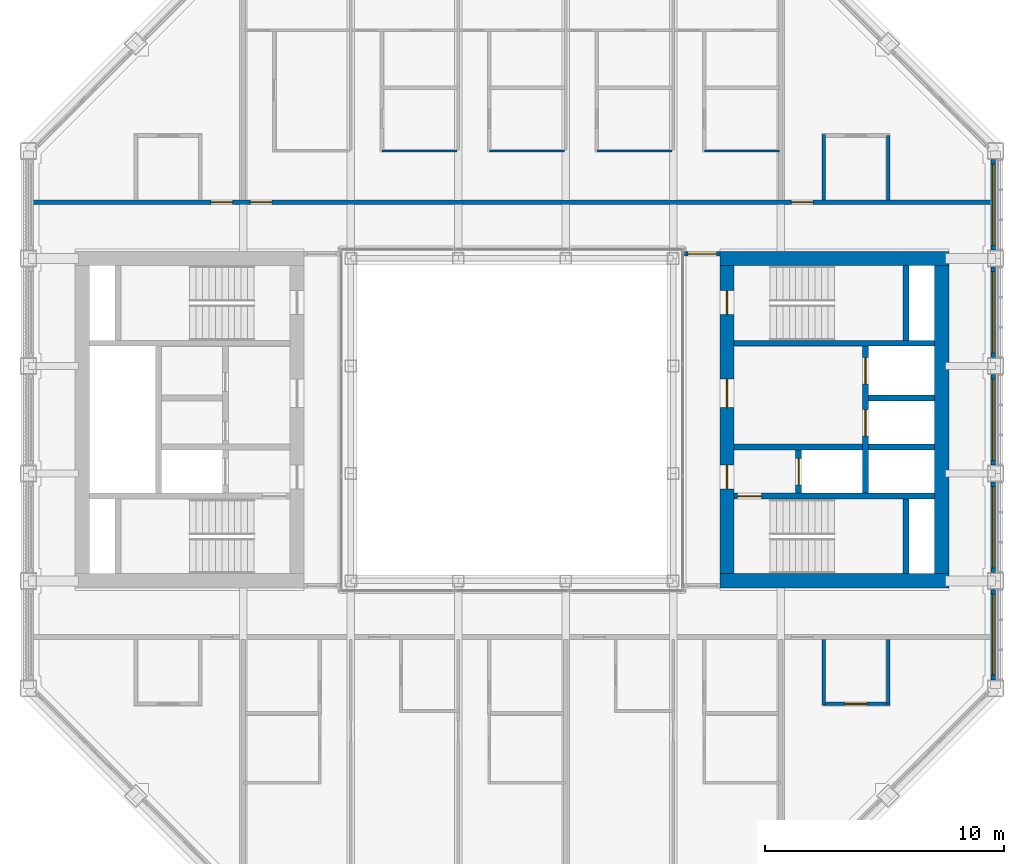
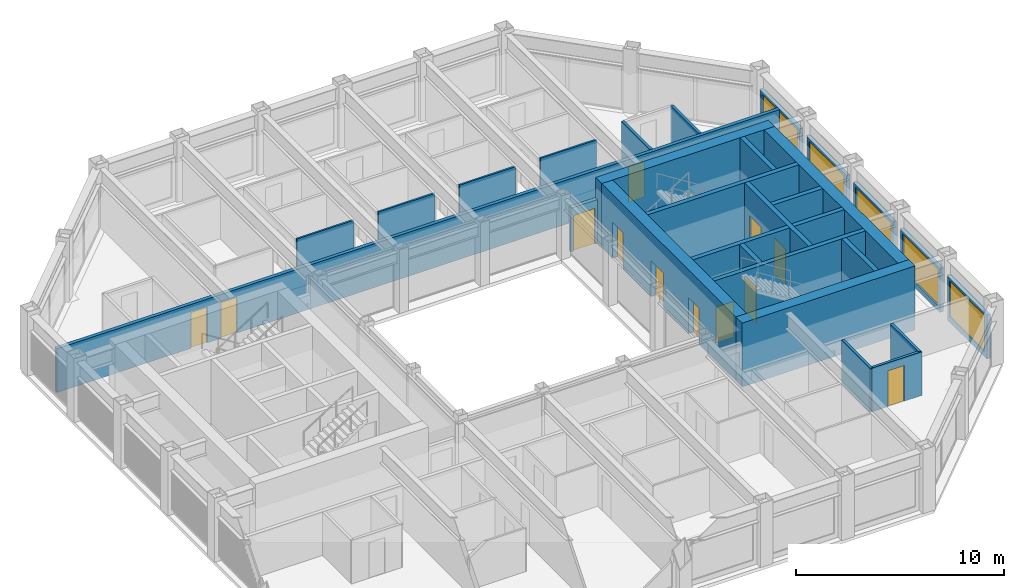
# One storey, part 11 of 17: 29 walls, 12 doors, 5 windows, 17 openings.
"""IFC4 building model written with IfcOpenShell, lengths in metres."""

from ifc_helpers import new_model, si_unit, direction, frame, frame_2d, origin, place, context, subcontext, project, spatial, rectangle, extrude, material, layer, layer_set, type_object, element, fill, save


model = new_model("IFC4")

# Units and contexts
model_context = context("Model", 3, precision=1e-05, world=origin(), true_north=direction((0.0, 1.0)))
body_context = subcontext(model_context, "Body", "Model", "MODEL_VIEW")
ifc_project = project(units=[si_unit("LENGTHUNIT", "METRE"), si_unit("AREAUNIT", "SQUARE_METRE"), si_unit("VOLUMEUNIT", "CUBIC_METRE"), si_unit("PLANEANGLEUNIT", "RADIAN"), si_unit("MASSUNIT", "GRAM", prefix="KILO")], contexts=[model_context])

# Site, building, storey
site_placement = place(None, origin())
site = spatial("IfcSite", under=ifc_project, at=site_placement, CompositionType="ELEMENT")
building_placement = place(site_placement, origin())
building = spatial("IfcBuilding", under=site, at=building_placement, Name="Msasa Ring Tower", CompositionType="ELEMENT")
storey_placement = place(building_placement, frame((0.0, 0.0, 253.300048828125)))
storey = spatial("IfcBuildingStorey", under=building, at=storey_placement, Name="L66", CompositionType="ELEMENT", Elevation=253.300048828125)

# Walls
ifc_material_1 = material(Name="Concrete C60/75", Category="concrete")
ifc_layer_1 = layer(ifc_material_1, 0.60009765625)
ifc_layer_set_1 = layer_set([ifc_layer_1], Name="CW3 CORE WALL 600")
wall_type_1 = type_object("IfcWallType", Name="CW3 CORE WALL 600", PredefinedType="SHEAR", material=ifc_layer_set_1)
for number, where, z_axis, x_axis, name in (
    (1, (8.699951171875, -6.75, 0.0), (0.0, 0.0, 1.0), (1.0, 0.0, 0.0), "E core wall S L66"),
    (2, (8.699951171875, 6.75, 0.0), (0.0, 0.0, 1.0), (1.0, 0.0, 0.0), "E core wall N L66"),
):
    element("IfcWall", number, at=place(storey_placement, frame(where, z_axis=z_axis, x_axis=x_axis)), inside=storey, type_object=wall_type_1, Name=name, PredefinedType="SHEAR", context=body_context, shape_type="SweptSolid", body=[
        extrude(rectangle(XDim=9.60009765625, YDim=0.60009765625, at=frame_2d((4.800048828125, 0.0))), origin(), (0.0, 0.0, 1.0), 3.75),
    ])

# Wall, openings, doors
wall_1_placement = place(storey_placement, frame((9.0, -6.449951171875, 0.0), z_axis=(0.0, 0.0, 1.0), x_axis=(0.0, 1.0, 0.0)))
wall_1 = element("IfcWall", 3, at=wall_1_placement, inside=storey, type_object=wall_type_1, Name="E core wall W L66", PredefinedType="SHEAR", context=body_context, shape_type="SweptSolid", body=[
    extrude(rectangle(XDim=12.89990234375, YDim=0.60009765625, at=frame_2d((6.449951171875, 0.0))), origin(), (0.0, 0.0, 1.0), 3.75),
])
opening_1_placement = place(wall_1_placement, frame((3.550048828125, 0.0, 0.0)))
opening_1 = element("IfcOpeningElement", 4, at=opening_1_placement, cuts=wall_1, Name="Opening SE-029", PredefinedType="OPENING", context=body_context, shape_type="SweptSolid", body=[
    extrude(rectangle(XDim=1.0, YDim=2.10009765625, at=frame_2d((0.5, 1.050048828125))), frame((0.0, 0.31005859375, 0.0), z_axis=(0.0, -1.0, 0.0), x_axis=(1.0, 0.0, 0.0)), (0.0, 0.0, 1.0), 0.6201171875),
])
opening_2_placement = place(wall_1_placement, frame((6.949951171875, 0.0, 0.0)))
opening_2 = element("IfcOpeningElement", 5, at=opening_2_placement, cuts=wall_1, Name="Opening SE-026", PredefinedType="OPENING", context=body_context, shape_type="SweptSolid", body=[
    extrude(rectangle(XDim=1.199951171875, YDim=2.10009765625, at=frame_2d((0.60009765625, 1.050048828125))), frame((0.0, 0.31005859375, 0.0), z_axis=(0.0, -1.0, 0.0), x_axis=(1.0, 0.0, 0.0)), (0.0, 0.0, 1.0), 0.6201171875),
])
opening_3_placement = place(wall_1_placement, frame((10.85009765625, 0.0, 0.0)))
opening_3 = element("IfcOpeningElement", 6, at=opening_3_placement, cuts=wall_1, Name="Opening SE-023", PredefinedType="OPENING", context=body_context, shape_type="SweptSolid", body=[
    extrude(rectangle(XDim=1.0, YDim=2.10009765625, at=frame_2d((0.5, 1.050048828125))), frame((0.0, 0.31005859375, 0.0), z_axis=(0.0, -1.0, 0.0), x_axis=(1.0, 0.0, 0.0)), (0.0, 0.0, 1.0), 0.6201171875),
])
ifc_material_2 = material(Name="Timber door leaf in a steel frame", Category="steel")
door_type_1 = type_object("IfcDoorType", Name="D4 LOBBY DOOR 1000x2100", OperationType="SINGLE_SWING_LEFT", PredefinedType="DOOR", material=ifc_material_2)
door_1_placement = place(opening_1_placement, origin())
door_1 = element("IfcDoor", 7, at=door_1_placement, inside=storey, type_object=door_type_1, Name="Door L66-EFFL", OperationType="SINGLE_SWING_LEFT", OverallHeight=2.10009765625, OverallWidth=1.0, PredefinedType="DOOR", context=body_context, shape_type="SweptSolid", body=[
    extrude(rectangle(XDim=1.0, YDim=2.10009765625, at=frame_2d((0.5, 1.050048828125))), frame((0.0, 0.02490234375, 0.0), z_axis=(0.0, -1.0, 0.0), x_axis=(1.0, 0.0, 0.0)), (0.0, 0.0, 1.0), 0.050048828125),
])
fill(opening_1, door_1)
ifc_material_3 = material(Name="Timber door leaf in a steel frame", Category="steel")
door_type_2 = type_object("IfcDoorType", Name="D5 WIDE LOBBY DOOR 1200x2100", OperationType="SINGLE_SWING_LEFT", PredefinedType="DOOR", material=ifc_material_3)
door_2_placement = place(opening_2_placement, origin())
door_2 = element("IfcDoor", 8, at=door_2_placement, inside=storey, type_object=door_type_2, Name="Door L66-ELL", OperationType="SINGLE_SWING_RIGHT", OverallHeight=2.10009765625, OverallWidth=1.199951171875, PredefinedType="DOOR", context=body_context, shape_type="SweptSolid", body=[
    extrude(rectangle(XDim=1.199951171875, YDim=2.10009765625, at=frame_2d((0.60009765625, 1.050048828125))), frame((0.0, 0.02490234375, 0.0), z_axis=(0.0, -1.0, 0.0), x_axis=(1.0, 0.0, 0.0)), (0.0, 0.0, 1.0), 0.050048828125),
])
fill(opening_2, door_2)
ifc_material_4 = material(Name="Timber door leaf in a steel frame", Category="steel")
door_type_3 = type_object("IfcDoorType", Name="D6 STAIR DOOR 1000x2100", OperationType="SINGLE_SWING_LEFT", PredefinedType="DOOR", material=ifc_material_4)
door_3_placement = place(opening_3_placement, origin())
door_3 = element("IfcDoor", 9, at=door_3_placement, inside=storey, type_object=door_type_3, Name="Door L66-ESTB", OperationType="SINGLE_SWING_RIGHT", OverallHeight=2.10009765625, OverallWidth=1.0, PredefinedType="DOOR", context=body_context, shape_type="SweptSolid", body=[
    extrude(rectangle(XDim=1.0, YDim=2.10009765625, at=frame_2d((0.5, 1.050048828125))), frame((0.0, 0.02490234375, 0.0), z_axis=(0.0, -1.0, 0.0), x_axis=(1.0, 0.0, 0.0)), (0.0, 0.0, 1.0), 0.050048828125),
])
fill(opening_3, door_3)

# Wall
wall_2_placement = place(storey_placement, frame((18.0, -6.449951171875, 0.0), z_axis=(0.0, 0.0, 1.0), x_axis=(0.0, 1.0, 0.0)))
element("IfcWall", 10, at=wall_2_placement, inside=storey, type_object=wall_type_1, Name="E core wall E L66", PredefinedType="SHEAR", context=body_context, shape_type="SweptSolid", body=[
    extrude(rectangle(XDim=12.89990234375, YDim=0.60009765625, at=frame_2d((6.449951171875, 0.0))), origin(), (0.0, 0.0, 1.0), 3.75),
])

# Wall, opening, door
ifc_material_5 = material(Name="Concrete C60/75", Category="concrete")
ifc_layer_2 = layer(ifc_material_5, 0.25)
ifc_layer_set_2 = layer_set([ifc_layer_2], Name="CW4 CORE INNER WALL 250")
wall_type_2 = type_object("IfcWallType", Name="CW4 CORE INNER WALL 250", PredefinedType="SHEAR", material=ifc_layer_set_2)
wall_3_placement = place(storey_placement, frame((9.300048828125, -3.199951171875, 0.0), z_axis=(0.0, 0.0, 1.0), x_axis=(1.0, 0.0, 0.0)))
wall_3 = element("IfcWall", 11, at=wall_3_placement, inside=storey, type_object=wall_type_2, Name="E core wall STAIRA L66", PredefinedType="SHEAR", context=body_context, shape_type="SweptSolid", body=[
    extrude(rectangle(XDim=8.39990234375, YDim=0.25, at=frame_2d((4.199951171875, 0.0))), origin(), (0.0, 0.0, 1.0), 3.75),
])
opening_4_placement = place(wall_3_placement, frame((0.14990234375, 0.0, 0.0)))
opening_4 = element("IfcOpeningElement", 12, at=opening_4_placement, cuts=wall_3, Name="Opening SE-031", PredefinedType="OPENING", context=body_context, shape_type="SweptSolid", body=[
    extrude(rectangle(XDim=1.0, YDim=2.10009765625, at=frame_2d((0.5, 1.050048828125))), frame((0.0, 0.135009765625, 0.0), z_axis=(0.0, -1.0, 0.0), x_axis=(1.0, 0.0, 0.0)), (0.0, 0.0, 1.0), 0.27001953125),
])
door_4_placement = place(opening_4_placement, origin())
door_4 = element("IfcDoor", 13, at=door_4_placement, inside=storey, type_object=door_type_3, Name="Door L66-ESTA", OperationType="SINGLE_SWING_LEFT", OverallHeight=2.10009765625, OverallWidth=1.0, PredefinedType="DOOR", context=body_context, shape_type="SweptSolid", body=[
    extrude(rectangle(XDim=1.0, YDim=2.10009765625, at=frame_2d((0.5, 1.050048828125))), frame((0.0, 0.02490234375, 0.0), z_axis=(0.0, -1.0, 0.0), x_axis=(1.0, 0.0, 0.0)), (0.0, 0.0, 1.0), 0.050048828125),
])
fill(opening_4, door_4)

# Walls
wall_4_placement = place(storey_placement, frame((9.300048828125, 3.199951171875, 0.0), z_axis=(0.0, 0.0, 1.0), x_axis=(1.0, 0.0, 0.0)))
element("IfcWall", 14, at=wall_4_placement, inside=storey, type_object=wall_type_2, Name="E core wall STAIRB L66", PredefinedType="SHEAR", context=body_context, shape_type="SweptSolid", body=[
    extrude(rectangle(XDim=8.39990234375, YDim=0.25, at=frame_2d((4.199951171875, 0.0))), origin(), (0.0, 0.0, 1.0), 3.75),
])
for number, where, z_axis, x_axis, name in (
    (15, (16.5, -6.449951171875, 0.0), (0.0, 0.0, 1.0), (0.0, 1.0, 0.0), "E core wall RISERA L66"),
    (16, (16.5, 3.324951171875, 0.0), (0.0, 0.0, 1.0), (0.0, 1.0, 0.0), "E core wall RISERB L66"),
):
    element("IfcWall", number, at=place(storey_placement, frame(where, z_axis=z_axis, x_axis=x_axis)), inside=storey, type_object=wall_type_2, Name=name, PredefinedType="SHEAR", context=body_context, shape_type="SweptSolid", body=[
        extrude(rectangle(XDim=3.125, YDim=0.25, at=frame_2d((1.5625, 0.0))), origin(), (0.0, 0.0, 1.0), 3.75),
    ])
wall_5_placement = place(storey_placement, frame((9.300048828125, -1.14990234375, 0.0), z_axis=(0.0, 0.0, 1.0), x_axis=(1.0, 0.0, 0.0)))
element("IfcWall", 17, at=wall_5_placement, inside=storey, type_object=wall_type_2, Name="E core wall FFL L66", PredefinedType="SHEAR", context=body_context, shape_type="SweptSolid", body=[
    extrude(rectangle(XDim=5.375, YDim=0.25, at=frame_2d((2.6875, 0.0))), origin(), (0.0, 0.0, 1.0), 3.75),
])

# Wall, opening, door
wall_6_placement = place(storey_placement, frame((12.0, -3.074951171875, 0.0), z_axis=(0.0, 0.0, 1.0), x_axis=(0.0, 1.0, 0.0)))
wall_6 = element("IfcWall", 18, at=wall_6_placement, inside=storey, type_object=wall_type_2, Name="E core wall LOBBY L66", PredefinedType="SHEAR", context=body_context, shape_type="SweptSolid", body=[
    extrude(rectangle(XDim=1.800048828125, YDim=0.25, at=frame_2d((0.89990234375, 0.0))), origin(), (0.0, 0.0, 1.0), 3.75),
])
opening_5_placement = place(wall_6_placement, frame((0.35009765625, 0.0, 0.0)))
opening_5 = element("IfcOpeningElement", 19, at=opening_5_placement, cuts=wall_6, Name="Opening LD1", PredefinedType="OPENING", context=body_context, shape_type="SweptSolid", body=[
    extrude(rectangle(XDim=1.10009765625, YDim=2.10009765625, at=frame_2d((0.550048828125, 1.050048828125))), frame((0.0, 0.135009765625, 0.0), z_axis=(0.0, -1.0, 0.0), x_axis=(1.0, 0.0, 0.0)), (0.0, 0.0, 1.0), 0.27001953125),
])
ifc_material_6 = material(Name="Stainless steel lift landing door", Category="steel")
door_type_4 = type_object("IfcDoorType", Name="LD1 LIFT LANDING DOOR 1100x2100", OperationType="DOUBLE_DOOR_SLIDING", PredefinedType="DOOR", material=ifc_material_6)
door_5_placement = place(opening_5_placement, origin())
door_5 = element("IfcDoor", 20, at=door_5_placement, inside=storey, type_object=door_type_4, Name="Lift landing door FL-E L66", OperationType="DOUBLE_DOOR_SLIDING", OverallHeight=2.10009765625, OverallWidth=1.10009765625, PredefinedType="DOOR", context=body_context, shape_type="SweptSolid", body=[
    extrude(rectangle(XDim=1.10009765625, YDim=2.10009765625, at=frame_2d((0.550048828125, 1.050048828125))), frame((0.0, 0.02490234375, 0.0), z_axis=(0.0, -1.0, 0.0), x_axis=(1.0, 0.0, 0.0)), (0.0, 0.0, 1.0), 0.050048828125),
])
fill(opening_5, door_5)

# Wall, openings, doors
wall_7_placement = place(storey_placement, frame((14.800048828125, -3.074951171875, 0.0), z_axis=(0.0, 0.0, 1.0), x_axis=(0.0, 1.0, 0.0)))
wall_7 = element("IfcWall", 21, at=wall_7_placement, inside=storey, type_object=wall_type_2, Name="E core wall SHAFT L66", PredefinedType="SHEAR", context=body_context, shape_type="SweptSolid", body=[
    extrude(rectangle(XDim=6.14990234375, YDim=0.25, at=frame_2d((3.074951171875, 0.0))), origin(), (0.0, 0.0, 1.0), 3.75),
])
opening_6_placement = place(wall_7_placement, frame((2.39990234375, 0.0, 0.0)))
opening_6 = element("IfcOpeningElement", 22, at=opening_6_placement, cuts=wall_7, Name="Opening LD1", PredefinedType="OPENING", context=body_context, shape_type="SweptSolid", body=[
    extrude(rectangle(XDim=1.10009765625, YDim=2.10009765625, at=frame_2d((0.550048828125, 1.050048828125))), frame((0.0, 0.135009765625, 0.0), z_axis=(0.0, -1.0, 0.0), x_axis=(1.0, 0.0, 0.0)), (0.0, 0.0, 1.0), 0.27001953125),
])
opening_7_placement = place(wall_7_placement, frame((4.574951171875, 0.0, 0.0)))
opening_7 = element("IfcOpeningElement", 23, at=opening_7_placement, cuts=wall_7, Name="Opening LD1", PredefinedType="OPENING", context=body_context, shape_type="SweptSolid", body=[
    extrude(rectangle(XDim=1.10009765625, YDim=2.10009765625, at=frame_2d((0.550048828125, 1.050048828125))), frame((0.0, 0.135009765625, 0.0), z_axis=(0.0, -1.0, 0.0), x_axis=(1.0, 0.0, 0.0)), (0.0, 0.0, 1.0), 0.27001953125),
])
door_6_placement = place(opening_6_placement, origin())
door_6 = element("IfcDoor", 24, at=door_6_placement, inside=storey, type_object=door_type_4, Name="Lift landing door PL-H1 L66", OperationType="DOUBLE_DOOR_SLIDING", OverallHeight=2.10009765625, OverallWidth=1.10009765625, PredefinedType="DOOR", context=body_context, shape_type="SweptSolid", body=[
    extrude(rectangle(XDim=1.10009765625, YDim=2.10009765625, at=frame_2d((0.550048828125, 1.050048828125))), frame((0.0, 0.02490234375, 0.0), z_axis=(0.0, -1.0, 0.0), x_axis=(1.0, 0.0, 0.0)), (0.0, 0.0, 1.0), 0.050048828125),
])
fill(opening_6, door_6)
door_7_placement = place(opening_7_placement, origin())
door_7 = element("IfcDoor", 25, at=door_7_placement, inside=storey, type_object=door_type_4, Name="Lift landing door PL-H2 L66", OperationType="DOUBLE_DOOR_SLIDING", OverallHeight=2.10009765625, OverallWidth=1.10009765625, PredefinedType="DOOR", context=body_context, shape_type="SweptSolid", body=[
    extrude(rectangle(XDim=1.10009765625, YDim=2.10009765625, at=frame_2d((0.550048828125, 1.050048828125))), frame((0.0, 0.02490234375, 0.0), z_axis=(0.0, -1.0, 0.0), x_axis=(1.0, 0.0, 0.0)), (0.0, 0.0, 1.0), 0.050048828125),
])
fill(opening_7, door_7)

# Walls
for number, where, z_axis, x_axis, name in (
    (26, (14.925048828125, -1.14990234375, 0.0), (0.0, 0.0, 1.0), (1.0, 0.0, 0.0), "E core wall HSEP L66"),
    (27, (14.925048828125, 0.89990234375, 0.0), (0.0, 0.0, 1.0), (1.0, 0.0, 0.0), "E core wall HLIFT L66"),
):
    element("IfcWall", number, at=place(storey_placement, frame(where, z_axis=z_axis, x_axis=x_axis)), inside=storey, type_object=wall_type_2, Name=name, PredefinedType="SHEAR", context=body_context, shape_type="SweptSolid", body=[
        extrude(rectangle(XDim=2.77490234375, YDim=0.25, at=frame_2d((1.387451171875, 0.0))), origin(), (0.0, 0.0, 1.0), 3.75),
    ])

# Wall, opening, window
ifc_material_7 = material(Name="Terracotta rainscreen on blockwork", Category="masonry")
ifc_layer_3 = layer(ifc_material_7, 0.199951171875)
ifc_layer_set_3 = layer_set([ifc_layer_3], Name="FW1 TERRACOTTA-LINED INFILL BAY WALL 200")
wall_type_3 = type_object("IfcWallType", Name="FW1 TERRACOTTA-LINED INFILL BAY WALL 200", PredefinedType="SOLIDWALL", material=ifc_layer_set_3)
wall_8_placement = place(storey_placement, frame((20.14990234375, -10.89501953125, 0.0), z_axis=(0.0, 0.0, 1.0), x_axis=(0.0, 1.0, 0.0)))
wall_8 = element("IfcWall", 28, at=wall_8_placement, inside=storey, type_object=wall_type_3, Name="Infill bay wall E L66 07", PredefinedType="SOLIDWALL", context=body_context, shape_type="SweptSolid", body=[
    extrude(rectangle(XDim=3.7900390625, YDim=0.199951171875, at=frame_2d((1.89501953125, 0.0))), origin(), (0.0, 0.0, 1.0), 2.578857421875),
])
opening_8_placement = place(wall_8_placement, frame((0.195068359375, 0.0, 0.300048828125)))
opening_8 = element("IfcOpeningElement", 29, at=opening_8_placement, cuts=wall_8, Name="Opening WN8", PredefinedType="OPENING", context=body_context, shape_type="SweptSolid", body=[
    extrude(rectangle(XDim=3.39990234375, YDim=2.12890625, at=frame_2d((1.699951171875, 1.064453125))), frame((0.0, 0.10986328125, 0.0), z_axis=(0.0, -1.0, 0.0), x_axis=(1.0, 0.0, 0.0)), (0.0, 0.0, 1.0), 0.219970703125),
])
ifc_material_8 = material(Name="Aluminium frame with clear glass", Category="aluminium")
window_type = type_object("IfcWindowType", Name="WN8 SUITE WINDOW 3400x2129", PartitioningType="SINGLE_PANEL", PredefinedType="WINDOW", material=ifc_material_8)
window_1_placement = place(opening_8_placement, origin())
window_1 = element("IfcWindow", 30, at=window_1_placement, inside=storey, type_object=window_type, Name="Window E L66 07", OverallHeight=2.12890625, OverallWidth=3.39990234375, PartitioningType="SINGLE_PANEL", PredefinedType="WINDOW", context=body_context, shape_type="SweptSolid", body=[
    extrude(rectangle(XDim=3.39990234375, YDim=2.12890625, at=frame_2d((1.699951171875, 1.064453125))), frame((0.0, 0.030029296875, 0.0), z_axis=(0.0, -1.0, 0.0), x_axis=(1.0, 0.0, 0.0)), (0.0, 0.0, 1.0), 0.06005859375),
])
fill(opening_8, window_1)

wall_9_placement = place(storey_placement, frame((20.14990234375, -6.39501953125, 0.0), z_axis=(0.0, 0.0, 1.0), x_axis=(0.0, 1.0, 0.0)))
wall_9 = element("IfcWall", 31, at=wall_9_placement, inside=storey, type_object=wall_type_3, Name="Infill bay wall E L66 08", PredefinedType="SOLIDWALL", context=body_context, shape_type="SweptSolid", body=[
    extrude(rectangle(XDim=3.7900390625, YDim=0.199951171875, at=frame_2d((1.89501953125, 0.0))), origin(), (0.0, 0.0, 1.0), 2.578857421875),
])
opening_9_placement = place(wall_9_placement, frame((0.195068359375, 0.0, 0.300048828125)))
opening_9 = element("IfcOpeningElement", 32, at=opening_9_placement, cuts=wall_9, Name="Opening WN8", PredefinedType="OPENING", context=body_context, shape_type="SweptSolid", body=[
    extrude(rectangle(XDim=3.39990234375, YDim=2.12890625, at=frame_2d((1.699951171875, 1.064453125))), frame((0.0, 0.10986328125, 0.0), z_axis=(0.0, -1.0, 0.0), x_axis=(1.0, 0.0, 0.0)), (0.0, 0.0, 1.0), 0.219970703125),
])
window_2_placement = place(opening_9_placement, origin())
window_2 = element("IfcWindow", 33, at=window_2_placement, inside=storey, type_object=window_type, Name="Window E L66 08", OverallHeight=2.12890625, OverallWidth=3.39990234375, PartitioningType="SINGLE_PANEL", PredefinedType="WINDOW", context=body_context, shape_type="SweptSolid", body=[
    extrude(rectangle(XDim=3.39990234375, YDim=2.12890625, at=frame_2d((1.699951171875, 1.064453125))), frame((0.0, 0.030029296875, 0.0), z_axis=(0.0, -1.0, 0.0), x_axis=(1.0, 0.0, 0.0)), (0.0, 0.0, 1.0), 0.06005859375),
])
fill(opening_9, window_2)

wall_10_placement = place(storey_placement, frame((20.14990234375, -1.89501953125, 0.0), z_axis=(0.0, 0.0, 1.0), x_axis=(0.0, 1.0, 0.0)))
wall_10 = element("IfcWall", 34, at=wall_10_placement, inside=storey, type_object=wall_type_3, Name="Infill bay wall E L66 09", PredefinedType="SOLIDWALL", context=body_context, shape_type="SweptSolid", body=[
    extrude(rectangle(XDim=3.7900390625, YDim=0.199951171875, at=frame_2d((1.89501953125, 0.0))), origin(), (0.0, 0.0, 1.0), 2.578857421875),
])
opening_10_placement = place(wall_10_placement, frame((0.195068359375, 0.0, 0.300048828125)))
opening_10 = element("IfcOpeningElement", 35, at=opening_10_placement, cuts=wall_10, Name="Opening WN8", PredefinedType="OPENING", context=body_context, shape_type="SweptSolid", body=[
    extrude(rectangle(XDim=3.39990234375, YDim=2.12890625, at=frame_2d((1.699951171875, 1.064453125))), frame((0.0, 0.10986328125, 0.0), z_axis=(0.0, -1.0, 0.0), x_axis=(1.0, 0.0, 0.0)), (0.0, 0.0, 1.0), 0.219970703125),
])
window_3_placement = place(opening_10_placement, origin())
window_3 = element("IfcWindow", 36, at=window_3_placement, inside=storey, type_object=window_type, Name="Window E L66 09", OverallHeight=2.12890625, OverallWidth=3.39990234375, PartitioningType="SINGLE_PANEL", PredefinedType="WINDOW", context=body_context, shape_type="SweptSolid", body=[
    extrude(rectangle(XDim=3.39990234375, YDim=2.12890625, at=frame_2d((1.699951171875, 1.064453125))), frame((0.0, 0.030029296875, 0.0), z_axis=(0.0, -1.0, 0.0), x_axis=(1.0, 0.0, 0.0)), (0.0, 0.0, 1.0), 0.06005859375),
])
fill(opening_10, window_3)

wall_11_placement = place(storey_placement, frame((20.14990234375, 2.60498046875, 0.0), z_axis=(0.0, 0.0, 1.0), x_axis=(0.0, 1.0, 0.0)))
wall_11 = element("IfcWall", 37, at=wall_11_placement, inside=storey, type_object=wall_type_3, Name="Infill bay wall E L66 10", PredefinedType="SOLIDWALL", context=body_context, shape_type="SweptSolid", body=[
    extrude(rectangle(XDim=3.7900390625, YDim=0.199951171875, at=frame_2d((1.89501953125, 0.0))), origin(), (0.0, 0.0, 1.0), 2.578857421875),
])
opening_11_placement = place(wall_11_placement, frame((0.195068359375, 0.0, 0.300048828125)))
opening_11 = element("IfcOpeningElement", 38, at=opening_11_placement, cuts=wall_11, Name="Opening WN8", PredefinedType="OPENING", context=body_context, shape_type="SweptSolid", body=[
    extrude(rectangle(XDim=3.39990234375, YDim=2.12890625, at=frame_2d((1.699951171875, 1.064453125))), frame((0.0, 0.10986328125, 0.0), z_axis=(0.0, -1.0, 0.0), x_axis=(1.0, 0.0, 0.0)), (0.0, 0.0, 1.0), 0.219970703125),
])
window_4_placement = place(opening_11_placement, origin())
window_4 = element("IfcWindow", 39, at=window_4_placement, inside=storey, type_object=window_type, Name="Window E L66 10", OverallHeight=2.12890625, OverallWidth=3.39990234375, PartitioningType="SINGLE_PANEL", PredefinedType="WINDOW", context=body_context, shape_type="SweptSolid", body=[
    extrude(rectangle(XDim=3.39990234375, YDim=2.12890625, at=frame_2d((1.699951171875, 1.064453125))), frame((0.0, 0.030029296875, 0.0), z_axis=(0.0, -1.0, 0.0), x_axis=(1.0, 0.0, 0.0)), (0.0, 0.0, 1.0), 0.06005859375),
])
fill(opening_11, window_4)

wall_12_placement = place(storey_placement, frame((20.14990234375, 7.10498046875, 0.0), z_axis=(0.0, 0.0, 1.0), x_axis=(0.0, 1.0, 0.0)))
wall_12 = element("IfcWall", 40, at=wall_12_placement, inside=storey, type_object=wall_type_3, Name="Infill bay wall E L66 11", PredefinedType="SOLIDWALL", context=body_context, shape_type="SweptSolid", body=[
    extrude(rectangle(XDim=3.7900390625, YDim=0.199951171875, at=frame_2d((1.89501953125, 0.0))), origin(), (0.0, 0.0, 1.0), 2.578857421875),
])
opening_12_placement = place(wall_12_placement, frame((0.195068359375, 0.0, 0.300048828125)))
opening_12 = element("IfcOpeningElement", 41, at=opening_12_placement, cuts=wall_12, Name="Opening WN8", PredefinedType="OPENING", context=body_context, shape_type="SweptSolid", body=[
    extrude(rectangle(XDim=3.39990234375, YDim=2.12890625, at=frame_2d((1.699951171875, 1.064453125))), frame((0.0, 0.10986328125, 0.0), z_axis=(0.0, -1.0, 0.0), x_axis=(1.0, 0.0, 0.0)), (0.0, 0.0, 1.0), 0.219970703125),
])
window_5_placement = place(opening_12_placement, origin())
window_5 = element("IfcWindow", 42, at=window_5_placement, inside=storey, type_object=window_type, Name="Window E L66 11", OverallHeight=2.12890625, OverallWidth=3.39990234375, PartitioningType="SINGLE_PANEL", PredefinedType="WINDOW", context=body_context, shape_type="SweptSolid", body=[
    extrude(rectangle(XDim=3.39990234375, YDim=2.12890625, at=frame_2d((1.699951171875, 1.064453125))), frame((0.0, 0.030029296875, 0.0), z_axis=(0.0, -1.0, 0.0), x_axis=(1.0, 0.0, 0.0)), (0.0, 0.0, 1.0), 0.06005859375),
])
fill(opening_12, window_5)

# Wall, opening, door
ifc_material_9 = material(Name="Concrete blockwork", Category="masonry")
ifc_layer_4 = layer(ifc_material_9, 0.199951171875)
ifc_layer_set_4 = layer_set([ifc_layer_4], Name="PT1 CORRIDOR WALL 200")
wall_type_4 = type_object("IfcWallType", Name="PT1 CORRIDOR WALL 200", PredefinedType="PARTITIONING", material=ifc_layer_set_4)
wall_13_placement = place(storey_placement, frame((7.22998046875, 6.949951171875, 0.0), z_axis=(0.0, 0.0, 1.0), x_axis=(1.0, 0.0, 0.0)))
wall_13 = element("IfcWall", 43, at=wall_13_placement, inside=storey, type_object=wall_type_4, Name="Corridor wall L66-SDEN", PredefinedType="PARTITIONING", context=body_context, shape_type="SweptSolid", body=[
    extrude(rectangle(XDim=1.469970703125, YDim=0.199951171875, at=frame_2d((0.73486328125, 0.0))), origin(), (0.0, 0.0, 1.0), 2.5732421875),
])
opening_13_placement = place(wall_13_placement, frame((0.135009765625, 0.0, 0.0)))
opening_13 = element("IfcOpeningElement", 44, at=opening_13_placement, cuts=wall_13, Name="Opening SE-021", PredefinedType="OPENING", context=body_context, shape_type="SweptSolid", body=[
    extrude(rectangle(XDim=1.199951171875, YDim=2.10009765625, at=frame_2d((0.60009765625, 1.050048828125))), frame((0.0, 0.10986328125, 0.0), z_axis=(0.0, -1.0, 0.0), x_axis=(1.0, 0.0, 0.0)), (0.0, 0.0, 1.0), 0.219970703125),
])
ifc_material_10 = material(Name="Timber door leaf in a steel frame", Category="steel")
door_type_5 = type_object("IfcDoorType", Name="D25 CORRIDOR PAIR OF SMOKE DOORS 1200x2100", OperationType="DOUBLE_DOOR_DOUBLE_SWING", PredefinedType="DOOR", material=ifc_material_10)
door_8_placement = place(opening_13_placement, origin())
door_8 = element("IfcDoor", 45, at=door_8_placement, inside=storey, type_object=door_type_5, Name="Door L66-SDEN", OperationType="DOUBLE_DOOR_DOUBLE_SWING", OverallHeight=2.10009765625, OverallWidth=1.199951171875, PredefinedType="DOOR", context=body_context, shape_type="SweptSolid", body=[
    extrude(rectangle(XDim=1.199951171875, YDim=2.10009765625, at=frame_2d((0.60009765625, 1.050048828125))), frame((0.0, 0.02490234375, 0.0), z_axis=(0.0, -1.0, 0.0), x_axis=(1.0, 0.0, 0.0)), (0.0, 0.0, 1.0), 0.050048828125),
])
fill(opening_13, door_8)

# Wall, openings, doors
wall_14_placement = place(storey_placement, frame((-20.050048828125, 9.10009765625, 0.0), z_axis=(0.0, 0.0, 1.0), x_axis=(1.0, 0.0, 0.0)))
wall_14 = element("IfcWall", 46, at=wall_14_placement, inside=storey, type_object=wall_type_4, Name="Corridor wall L66-CORRN0", PredefinedType="PARTITIONING", context=body_context, shape_type="SweptSolid", body=[
    extrude(rectangle(XDim=40.10009765625, YDim=0.199951171875, at=frame_2d((20.050048828125, 0.0))), origin(), (0.0, 0.0, 1.0), 2.5732421875),
])
opening_14_placement = place(wall_14_placement, frame((9.10009765625, 0.0, 0.0)))
opening_14 = element("IfcOpeningElement", 47, at=opening_14_placement, cuts=wall_14, Name="Opening SE-018", PredefinedType="OPENING", context=body_context, shape_type="SweptSolid", body=[
    extrude(rectangle(XDim=0.89990234375, YDim=2.10009765625, at=frame_2d((0.449951171875, 1.050048828125))), frame((0.0, 0.10986328125, 0.0), z_axis=(0.0, -1.0, 0.0), x_axis=(1.0, 0.0, 0.0)), (0.0, 0.0, 1.0), 0.219970703125),
])
opening_15_placement = place(wall_14_placement, frame((31.75, 0.0, 0.0)))
opening_15 = element("IfcOpeningElement", 48, at=opening_15_placement, cuts=wall_14, Name="Opening SE-019", PredefinedType="OPENING", context=body_context, shape_type="SweptSolid", body=[
    extrude(rectangle(XDim=0.89990234375, YDim=2.10009765625, at=frame_2d((0.449951171875, 1.050048828125))), frame((0.0, 0.10986328125, 0.0), z_axis=(0.0, -1.0, 0.0), x_axis=(1.0, 0.0, 0.0)), (0.0, 0.0, 1.0), 0.219970703125),
])
opening_16_placement = place(wall_14_placement, frame((7.449951171875, 0.0, 0.0)))
opening_16 = element("IfcOpeningElement", 49, at=opening_16_placement, cuts=wall_14, Name="Opening SE-017", PredefinedType="OPENING", context=body_context, shape_type="SweptSolid", body=[
    extrude(rectangle(XDim=0.89990234375, YDim=2.10009765625, at=frame_2d((0.449951171875, 1.050048828125))), frame((0.0, 0.10986328125, 0.0), z_axis=(0.0, -1.0, 0.0), x_axis=(1.0, 0.0, 0.0)), (0.0, 0.0, 1.0), 0.219970703125),
])
ifc_material_11 = material(Name="Timber door leaf in a steel frame", Category="steel")
door_type_6 = type_object("IfcDoorType", Name="D2 ENTRANCE DOOR 900x2100", OperationType="SINGLE_SWING_LEFT", PredefinedType="DOOR", material=ifc_material_11)
door_9_placement = place(opening_14_placement, origin())
door_9 = element("IfcDoor", 50, at=door_9_placement, inside=storey, type_object=door_type_6, Name="Door L66-JN00", OperationType="SINGLE_SWING_LEFT", OverallHeight=2.10009765625, OverallWidth=0.89990234375, PredefinedType="DOOR", context=body_context, shape_type="SweptSolid", body=[
    extrude(rectangle(XDim=0.89990234375, YDim=2.10009765625, at=frame_2d((0.449951171875, 1.050048828125))), frame((0.0, 0.02490234375, 0.0), z_axis=(0.0, -1.0, 0.0), x_axis=(1.0, 0.0, 0.0)), (0.0, 0.0, 1.0), 0.050048828125),
])
fill(opening_14, door_9)
door_10_placement = place(opening_15_placement, origin())
door_10 = element("IfcDoor", 51, at=door_10_placement, inside=storey, type_object=door_type_6, Name="Door L66-CSNE", OperationType="SINGLE_SWING_RIGHT", OverallHeight=2.10009765625, OverallWidth=0.89990234375, PredefinedType="DOOR", context=body_context, shape_type="SweptSolid", body=[
    extrude(rectangle(XDim=0.89990234375, YDim=2.10009765625, at=frame_2d((0.449951171875, 1.050048828125))), frame((0.0, 0.02490234375, 0.0), z_axis=(0.0, -1.0, 0.0), x_axis=(1.0, 0.0, 0.0)), (0.0, 0.0, 1.0), 0.050048828125),
])
fill(opening_15, door_10)
door_11_placement = place(opening_16_placement, origin())
door_11 = element("IfcDoor", 52, at=door_11_placement, inside=storey, type_object=door_type_6, Name="Door L66-CSNW", OperationType="SINGLE_SWING_LEFT", OverallHeight=2.10009765625, OverallWidth=0.89990234375, PredefinedType="DOOR", context=body_context, shape_type="SweptSolid", body=[
    extrude(rectangle(XDim=0.89990234375, YDim=2.10009765625, at=frame_2d((0.449951171875, 1.050048828125))), frame((0.0, 0.02490234375, 0.0), z_axis=(0.0, -1.0, 0.0), x_axis=(1.0, 0.0, 0.0)), (0.0, 0.0, 1.0), 0.050048828125),
])
fill(opening_16, door_11)

# Walls
ifc_material_12 = material(Name="Gypsum board on steel studs", Category="steel")
ifc_layer_5 = layer(ifc_material_12, 0.10009765625)
ifc_layer_set_5 = layer_set([ifc_layer_5], Name="PT2 STUD PARTITION 100")
wall_type_5 = type_object("IfcWallType", Name="PT2 STUD PARTITION 100", PredefinedType="PARTITIONING", material=ifc_layer_set_5)
for number, where, z_axis, x_axis, name in (
    (53, (-5.449951171875, 11.25, 0.0), (0.0, 0.0, 1.0), (1.0, 0.0, 0.0), "Partition L66-JN00HY1"),
    (54, (-0.949951171875, 11.25, 0.0), (0.0, 0.0, 1.0), (1.0, 0.0, 0.0), "Partition L66-JN00HY2"),
    (55, (3.550048828125, 11.25, 0.0), (0.0, 0.0, 1.0), (1.0, 0.0, 0.0), "Partition L66-JN00HY3"),
    (56, (8.050048828125, 11.25, 0.0), (0.0, 0.0, 1.0), (1.0, 0.0, 0.0), "Partition L66-JN00HY4"),
):
    element("IfcWall", number, at=place(storey_placement, frame(where, z_axis=z_axis, x_axis=x_axis)), inside=storey, type_object=wall_type_5, Name=name, PredefinedType="PARTITIONING", context=body_context, shape_type="SweptSolid", body=[
        extrude(rectangle(XDim=3.139892578125, YDim=0.10009765625, at=frame_2d((1.56982421875, 0.0))), origin(), (0.0, 0.0, 1.0), 2.5732421875),
    ])
ifc_material_13 = material(Name="Moisture-resistant board on steel studs with a concealed cistern and pipe void, tiled", Category="steel")
ifc_layer_6 = layer(ifc_material_13, 0.14990234375)
ifc_layer_set_6 = layer_set([ifc_layer_6], Name="PT4 BATHROOM WET WALL 150")
wall_type_6 = type_object("IfcWallType", Name="PT4 BATHROOM WET WALL 150", PredefinedType="PARTITIONING", material=ifc_layer_set_6)
wall_15_placement = place(storey_placement, frame((13.050048828125, 9.199951171875, 0.0), z_axis=(0.0, 0.0, 1.0), x_axis=(0.0, 1.0, 0.0)))
element("IfcWall", 57, at=wall_15_placement, inside=storey, type_object=wall_type_6, Name="Partition L66-CSNEBX", PredefinedType="PARTITIONING", context=body_context, shape_type="SweptSolid", body=[
    extrude(rectangle(XDim=2.75, YDim=0.14990234375, at=frame_2d((1.375, 0.0))), origin(), (0.0, 0.0, 1.0), 2.5732421875),
])
wall_16_placement = place(storey_placement, frame((15.75, 9.199951171875, 0.0), z_axis=(0.0, 0.0, 1.0), x_axis=(0.0, 1.0, 0.0)))
element("IfcWall", 58, at=wall_16_placement, inside=storey, type_object=wall_type_6, Name="Partition L66-CSNEBE", PredefinedType="PARTITIONING", context=body_context, shape_type="SweptSolid", body=[
    extrude(rectangle(XDim=2.699951171875, YDim=0.14990234375, at=frame_2d((1.35009765625, 0.0))), origin(), (0.0, 0.0, 1.0), 2.5732421875),
])
wall_17_placement = place(storey_placement, frame((13.050048828125, -11.949951171875, 0.0), z_axis=(0.0, 0.0, 1.0), x_axis=(0.0, 1.0, 0.0)))
element("IfcWall", 59, at=wall_17_placement, inside=storey, type_object=wall_type_6, Name="Partition L66-CSSEBX", PredefinedType="PARTITIONING", context=body_context, shape_type="SweptSolid", body=[
    extrude(rectangle(XDim=2.75, YDim=0.14990234375, at=frame_2d((1.375, 0.0))), origin(), (0.0, 0.0, 1.0), 2.5732421875),
])

# Wall, opening, door
wall_18_placement = place(storey_placement, frame((13.050048828125, -11.89990234375, 0.0), z_axis=(0.0, 0.0, 1.0), x_axis=(1.0, 0.0, 0.0)))
wall_18 = element("IfcWall", 60, at=wall_18_placement, inside=storey, type_object=wall_type_6, Name="Partition L66-CSSEBY", PredefinedType="PARTITIONING", context=body_context, shape_type="SweptSolid", body=[
    extrude(rectangle(XDim=2.77490234375, YDim=0.14990234375, at=frame_2d((1.387451171875, 0.0))), origin(), (0.0, 0.0, 1.0), 2.5732421875),
])
opening_17_placement = place(wall_18_placement, frame((0.89990234375, 0.0, 0.0)))
opening_17 = element("IfcOpeningElement", 61, at=opening_17_placement, cuts=wall_18, Name="Opening SE-044", PredefinedType="OPENING", context=body_context, shape_type="SweptSolid", body=[
    extrude(rectangle(XDim=0.89990234375, YDim=2.10009765625, at=frame_2d((0.449951171875, 1.050048828125))), frame((0.0, 0.0849609375, 0.0), z_axis=(0.0, -1.0, 0.0), x_axis=(1.0, 0.0, 0.0)), (0.0, 0.0, 1.0), 0.169921875),
])
ifc_material_14 = material(Name="Timber door leaf in a steel frame", Category="steel")
door_type_7 = type_object("IfcDoorType", Name="D3 BATHROOM DOOR 900x2100", OperationType="SINGLE_SWING_LEFT", PredefinedType="DOOR", material=ifc_material_14)
door_12_placement = place(opening_17_placement, origin())
door_12 = element("IfcDoor", 62, at=door_12_placement, inside=storey, type_object=door_type_7, Name="Door L66-CSSEB1", OperationType="SINGLE_SWING_LEFT", OverallHeight=2.10009765625, OverallWidth=0.89990234375, PredefinedType="DOOR", context=body_context, shape_type="SweptSolid", body=[
    extrude(rectangle(XDim=0.89990234375, YDim=2.10009765625, at=frame_2d((0.449951171875, 1.050048828125))), frame((0.0, 0.02490234375, 0.0), z_axis=(0.0, -1.0, 0.0), x_axis=(1.0, 0.0, 0.0)), (0.0, 0.0, 1.0), 0.050048828125),
])
fill(opening_17, door_12)

# Wall
wall_19_placement = place(storey_placement, frame((15.75, -11.89990234375, 0.0), z_axis=(0.0, 0.0, 1.0), x_axis=(0.0, 1.0, 0.0)))
element("IfcWall", 63, at=wall_19_placement, inside=storey, type_object=wall_type_6, Name="Partition L66-CSSEBE", PredefinedType="PARTITIONING", context=body_context, shape_type="SweptSolid", body=[
    extrude(rectangle(XDim=2.699951171875, YDim=0.14990234375, at=frame_2d((1.35009765625, 0.0))), origin(), (0.0, 0.0, 1.0), 2.5732421875),
])

save(model, "model.ifc")
